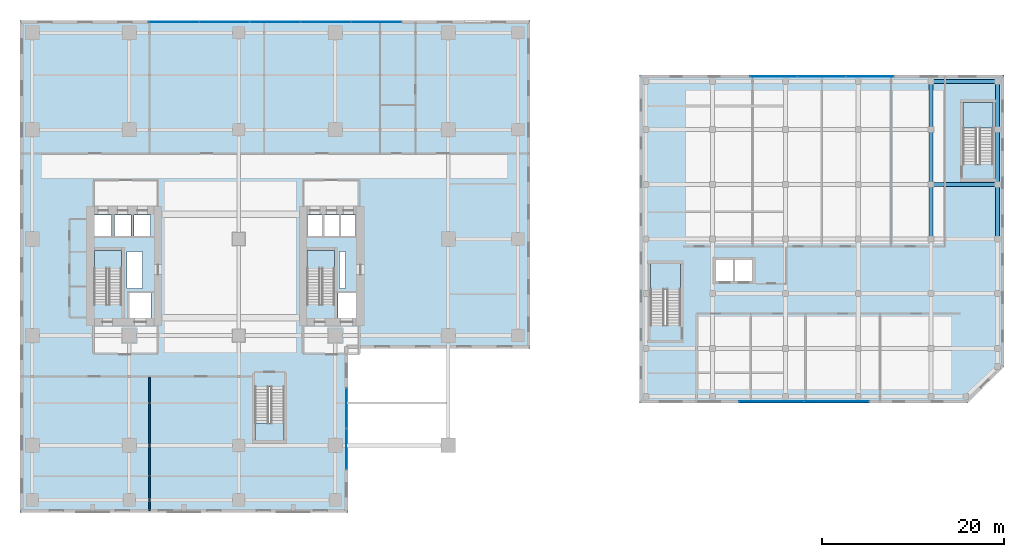
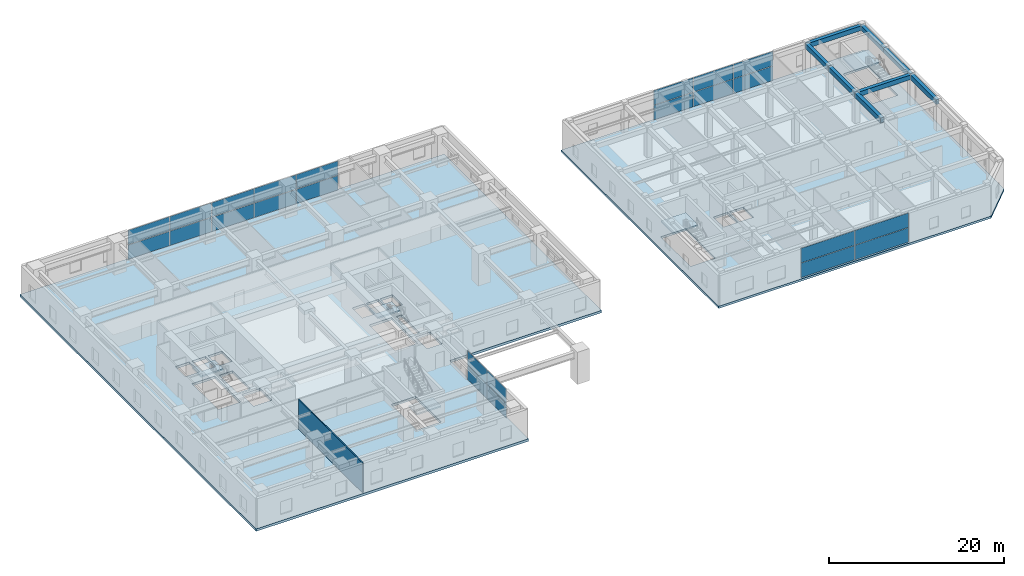
# One storey, part 17 of 28: 24 plates, 8 beams, 7 slabs, 1 wall, 9 elements without a shape of their own.
"""IFC4 building model written with IfcOpenShell, lengths in metres."""

from ifc_helpers import new_model, si_unit, direction, frame, frame_2d, origin, origin_2d, place, context, subcontext, project, spatial, polyline, rectangle, outline, extrude, source, transform, mapped, material, layer, layer_set, material_profile, profile_set, type_object, element, aggregate, save


model = new_model("IFC4")

# Units and contexts
model_context = context("Model", 3, precision=1e-05, world=origin(), true_north=direction((0.0, 1.0)))
body_context = subcontext(model_context, "Body", "Model", "MODEL_VIEW")
ifc_project = project(units=[si_unit("LENGTHUNIT", "METRE"), si_unit("AREAUNIT", "SQUARE_METRE"), si_unit("VOLUMEUNIT", "CUBIC_METRE"), si_unit("PLANEANGLEUNIT", "RADIAN"), si_unit("MASSUNIT", "GRAM", prefix="KILO")], contexts=[model_context])

# Site, building, storey
site_placement = place(None, origin())
site = spatial("IfcSite", under=ifc_project, at=site_placement, CompositionType="ELEMENT")
building_placement = place(site_placement, origin())
building = spatial("IfcBuilding", under=site, at=building_placement, Name="Khoralis Quay Care Tower", CompositionType="ELEMENT")
storey_placement = place(building_placement, frame((0.0, 0.0, 9.0)))
storey = spatial("IfcBuildingStorey", under=building, at=storey_placement, Name="L02", CompositionType="ELEMENT", Elevation=9.0)

# Beams
ifc_material_1 = material(Name="Concrete C40/50", Category="concrete")
ifc_material_profile = material_profile(ifc_material_1, rectangle(XDim=0.449951171875, YDim=0.64990234375, at=origin_2d()), Name="Concrete C40/50")
ifc_profile_set = profile_set([ifc_material_profile], Name="Concrete C40/50")
beam_type = type_object("IfcBeamType", Name="BM-RC450X650", PredefinedType="BEAM", material=ifc_profile_set)
shared_shape_1 = source(origin(), body_context, "Body", "SweptSolid", [
    extrude(rectangle(XDim=0.449951171875, YDim=0.64990234375, at=origin_2d()), origin(), (0.0, 0.0, 1.0), 7.300048828125),
])
for number, where, z_axis, x_axis, name in (
    (1, (100.0, 30.0, 3.875), (1.0, 0.0, 0.0), (0.0, 1.0, 0.0), "BM-SCX-L02-23"),
    (2, (100.0, 41.300048828125, 3.875), (1.0, 0.0, 0.0), (0.0, 1.0, 0.0), "BM-SCX-L02-32"),
):
    element("IfcBeam", number, at=place(storey_placement, frame(where, z_axis=z_axis, x_axis=x_axis)), inside=storey, type_object=beam_type, Name=name, PredefinedType="BEAM", context=body_context, shape_type="MappedRepresentation", body=[
        mapped(shared_shape_1, transform((0.0, 0.0, 0.0), scale=1.0)),
    ])
shared_shape_2 = source(origin(), body_context, "Body", "SweptSolid", [
    extrude(rectangle(XDim=0.449951171875, YDim=0.64990234375, at=origin_2d()), origin(), (0.0, 0.0, 1.0), 5.300048828125),
])
for number, where, z_axis, x_axis, name in (
    (3, (100.0, 36.0, 3.875), (0.0, 1.0, 0.0), (-1.0, 0.0, 0.0), "BM-SCY-L02-62"),
    (4, (107.300048828125, 36.0, 3.875), (0.0, 1.0, 0.0), (-1.0, 0.0, 0.0), "BM-SCY-L02-67"),
):
    element("IfcBeam", number, at=place(storey_placement, frame(where, z_axis=z_axis, x_axis=x_axis)), inside=storey, type_object=beam_type, Name=name, PredefinedType="BEAM", context=body_context, shape_type="MappedRepresentation", body=[
        mapped(shared_shape_2, transform((0.0, 0.0, 0.0), scale=1.0)),
    ])
shared_shape_3 = source(origin(), body_context, "Body", "SweptSolid", [
    extrude(rectangle(XDim=0.449951171875, YDim=0.64990234375, at=origin_2d()), origin(), (0.0, 0.0, 1.0), 6.0),
])
for number, where, z_axis, x_axis, name in (
    (5, (100.0, 24.0, 3.875), (0.0, 1.0, 0.0), (-1.0, 0.0, 0.0), "BM-SCY-L02-60"),
    (6, (100.0, 30.0, 3.875), (0.0, 1.0, 0.0), (-1.0, 0.0, 0.0), "BM-SCY-L02-61"),
    (7, (107.300048828125, 24.0, 3.875), (0.0, 1.0, 0.0), (-1.0, 0.0, 0.0), "BM-SCY-L02-65"),
    (8, (107.300048828125, 30.0, 3.875), (0.0, 1.0, 0.0), (-1.0, 0.0, 0.0), "BM-SCY-L02-66"),
):
    element("IfcBeam", number, at=place(storey_placement, frame(where, z_axis=z_axis, x_axis=x_axis)), inside=storey, type_object=beam_type, Name=name, PredefinedType="BEAM", context=body_context, shape_type="MappedRepresentation", body=[
        mapped(shared_shape_3, transform((0.0, 0.0, 0.0), scale=1.0)),
    ])

# Stair, slab
ifc_material_2 = material(Name="Precast concrete C45/55", Category="concrete")
stair_type_1 = type_object("IfcStairType", Name="ST-TWR-DOGLEG-1400", PredefinedType="HALF_TURN_STAIR", material=ifc_material_2)
stair_1_placement = place(storey_placement, origin())
stair_1 = element("IfcStair", 9, at=stair_1_placement, inside=storey, type_object=stair_type_1, Name="L02 West Core Exit Stair ST-T1", PredefinedType="HALF_TURN_STAIR")
ifc_layer_1 = layer(ifc_material_2, 0.199951171875)
ifc_layer_set_1 = layer_set([ifc_layer_1], Name="Precast concrete C45/55")
slab_type_1 = type_object("IfcSlabType", Name="SLB-LANDING-200", PredefinedType="LANDING", material=ifc_layer_set_1)
slab_1_placement = place(storey_placement, frame((0.0, 0.0, 2.050048828125)))
slab_1 = element("IfcSlab", 10, at=slab_1_placement, type_object=slab_type_1, Name="ST-T1 landing 1", PredefinedType="LANDING", context=body_context, shape_type="SweptSolid", body=[
    extrude(outline(polyline([(11.14990234375, 20.77001953125), (11.14990234375, 22.75), (8.14990234375, 22.75), (8.14990234375, 20.77001953125), (11.14990234375, 20.77001953125)])), origin(), (0.0, 0.0, 1.0), 0.199951171875),
])
aggregate(stair_1, [slab_1])

stair_2_placement = place(storey_placement, origin())
stair_2 = element("IfcStair", 11, at=stair_2_placement, inside=storey, type_object=stair_type_1, Name="L02 East Core Exit Stair ST-T2", PredefinedType="HALF_TURN_STAIR")
slab_2_placement = place(storey_placement, frame((0.0, 0.0, 2.050048828125)))
slab_2 = element("IfcSlab", 12, at=slab_2_placement, type_object=slab_type_1, Name="ST-T2 landing 1", PredefinedType="LANDING", context=body_context, shape_type="SweptSolid", body=[
    extrude(outline(polyline([(34.52001953125, 20.77001953125), (34.52001953125, 22.75), (31.52001953125, 22.75), (31.52001953125, 20.77001953125), (34.52001953125, 20.77001953125)])), origin(), (0.0, 0.0, 1.0), 0.199951171875),
])
aggregate(stair_2, [slab_2])

stair_type_2 = type_object("IfcStairType", Name="ST-POD-DOGLEG-1500", PredefinedType="HALF_TURN_STAIR", material=ifc_material_2)
stair_3_placement = place(storey_placement, origin())
stair_3 = element("IfcStair", 13, at=stair_3_placement, inside=storey, type_object=stair_type_2, Name="L02 Podium Clinical Stair ST-P1", PredefinedType="HALF_TURN_STAIR")
slab_3_placement = place(storey_placement, frame((0.0, 0.0, 2.050048828125)))
slab_3 = element("IfcSlab", 14, at=slab_3_placement, type_object=slab_type_1, Name="ST-P1 landing 1", PredefinedType="LANDING", context=body_context, shape_type="SweptSolid", body=[
    extrude(outline(polyline([(25.800048828125, 3.800048828125), (25.800048828125, 1.89990234375), (29.0, 1.89990234375), (29.0, 3.800048828125), (25.800048828125, 3.800048828125)])), origin(), (0.0, 0.0, 1.0), 0.199951171875),
])
aggregate(stair_3, [slab_3])

stair_type_3 = type_object("IfcStairType", Name="ST-SCH-DOGLEG-1550", PredefinedType="HALF_TURN_STAIR", material=ifc_material_2)
stair_4_placement = place(storey_placement, origin())
stair_4 = element("IfcStair", 15, at=stair_4_placement, inside=storey, type_object=stair_type_3, Name="L02 Companion School West Exit Stair ST-S1", PredefinedType="HALF_TURN_STAIR")
slab_4_placement = place(storey_placement, frame((0.0, 0.0, 2.050048828125)))
slab_4 = element("IfcSlab", 16, at=slab_4_placement, type_object=slab_type_1, Name="ST-S1 landing 1", PredefinedType="LANDING", context=body_context, shape_type="SweptSolid", body=[
    extrude(outline(polyline([(72.5, 18.47998046875), (72.5, 21.300048828125), (69.199951171875, 21.300048828125), (69.199951171875, 18.47998046875), (72.5, 18.47998046875)])), origin(), (0.0, 0.0, 1.0), 0.199951171875),
])
aggregate(stair_4, [slab_4])

stair_5_placement = place(storey_placement, origin())
stair_5 = element("IfcStair", 17, at=stair_5_placement, inside=storey, type_object=stair_type_3, Name="L02 Companion School East Exit Stair ST-S2", PredefinedType="HALF_TURN_STAIR")
slab_5_placement = place(storey_placement, frame((0.0, 0.0, 2.050048828125)))
slab_5 = element("IfcSlab", 18, at=slab_5_placement, type_object=slab_type_1, Name="ST-S2 landing 1", PredefinedType="LANDING", context=body_context, shape_type="SweptSolid", body=[
    extrude(outline(polyline([(106.800048828125, 36.179931640625), (106.800048828125, 39.0), (103.5, 39.0), (103.5, 36.179931640625), (106.800048828125, 36.179931640625)])), origin(), (0.0, 0.0, 1.0), 0.199951171875),
])
aggregate(stair_5, [slab_5])

# Slabs
ifc_layer_2 = layer(ifc_material_1, 0.340087890625)
ifc_layer_set_2 = layer_set([ifc_layer_2], Name="Concrete C40/50")
slab_type_2 = type_object("IfcSlabType", Name="SLB-POD-340", PredefinedType="FLOOR", material=ifc_layer_set_2)
slab_6_placement = place(storey_placement, frame((0.0, 0.0, -0.340087890625)))
element("IfcSlab", 19, at=slab_6_placement, inside=storey, type_object=slab_type_2, Name="Tower Floor Slab L02", PredefinedType="FLOOR", context=body_context, shape_type="SweptSolid", body=[
    extrude(outline(polyline([(0.0, -6.0), (36.0, -6.0), (36.0, 12.0), (56.0, 12.0), (56.0, 48.0), (0.0, 48.0), (0.0, -6.0)]), holes=[polyline([(11.14990234375, 16.800048828125), (11.14990234375, 22.75), (8.14990234375, 22.75), (8.14990234375, 16.800048828125), (11.14990234375, 16.800048828125)]), polyline([(34.52001953125, 16.800048828125), (34.52001953125, 22.75), (31.52001953125, 22.75), (31.52001953125, 16.800048828125), (34.52001953125, 16.800048828125)]), polyline([(25.800048828125, 7.77001953125), (25.800048828125, 1.89990234375), (29.0, 1.89990234375), (29.0, 7.77001953125), (25.800048828125, 7.77001953125)]), polyline([(12.0, 15.35009765625), (14.39990234375, 15.35009765625), (14.39990234375, 18.050048828125), (12.0, 18.050048828125), (12.0, 15.35009765625)]), polyline([(34.919921875, 15.35009765625), (36.8798828125, 15.35009765625), (36.8798828125, 18.050048828125), (34.919921875, 18.050048828125), (34.919921875, 15.35009765625)]), polyline([(8.199951171875, 24.35009765625), (10.050048828125, 24.35009765625), (10.050048828125, 26.64990234375), (8.199951171875, 26.64990234375), (8.199951171875, 24.35009765625)]), polyline([(31.550048828125, 24.35009765625), (33.199951171875, 24.35009765625), (33.199951171875, 26.64990234375), (31.550048828125, 26.64990234375), (31.550048828125, 24.35009765625)]), polyline([(10.35009765625, 24.35009765625), (12.199951171875, 24.35009765625), (12.199951171875, 26.64990234375), (10.35009765625, 26.64990234375), (10.35009765625, 24.35009765625)]), polyline([(33.3798828125, 24.35009765625), (35.030029296875, 24.35009765625), (35.030029296875, 26.64990234375), (33.3798828125, 26.64990234375), (33.3798828125, 24.35009765625)]), polyline([(12.5, 24.35009765625), (14.35009765625, 24.35009765625), (14.35009765625, 26.64990234375), (12.5, 26.64990234375), (12.5, 24.35009765625)]), polyline([(35.199951171875, 24.35009765625), (36.85009765625, 24.35009765625), (36.85009765625, 26.64990234375), (35.199951171875, 26.64990234375), (35.199951171875, 24.35009765625)]), polyline([(11.719970703125, 18.550048828125), (13.449951171875, 18.550048828125), (13.449951171875, 22.64990234375), (11.719970703125, 22.64990234375), (11.719970703125, 18.550048828125)]), polyline([(35.050048828125, 18.550048828125), (35.75, 18.550048828125), (35.75, 22.64990234375), (35.050048828125, 22.64990234375), (35.050048828125, 18.550048828125)])]), origin(), (0.0, 0.0, 1.0), 0.340087890625),
])
ifc_layer_3 = layer(ifc_material_1, 0.300048828125)
ifc_layer_set_3 = layer_set([ifc_layer_3], Name="Concrete C40/50")
slab_type_3 = type_object("IfcSlabType", Name="SLB-SCH-300", PredefinedType="FLOOR", material=ifc_layer_set_3)
slab_7_placement = place(storey_placement, frame((0.0, 0.0, -0.300048828125)))
element("IfcSlab", 20, at=slab_7_placement, inside=storey, type_object=slab_type_3, Name="Companion School Floor Slab L02", PredefinedType="FLOOR", context=body_context, shape_type="SweptSolid", body=[
    extrude(outline(polyline([(68.0, 6.0), (104.0, 6.0), (108.0, 10.0), (108.0, 42.0), (68.0, 42.0), (68.0, 6.0)]), holes=[polyline([(72.5, 14.510009765625), (72.5, 21.300048828125), (69.199951171875, 21.300048828125), (69.199951171875, 14.510009765625), (72.5, 14.510009765625)]), polyline([(106.800048828125, 32.2099609375), (106.800048828125, 39.0), (103.5, 39.0), (103.5, 32.2099609375), (106.800048828125, 32.2099609375)]), polyline([(76.39990234375, 19.39990234375), (78.25, 19.39990234375), (78.25, 21.699951171875), (76.39990234375, 21.699951171875), (76.39990234375, 19.39990234375)]), polyline([(78.5, 19.39990234375), (80.35009765625, 19.39990234375), (80.35009765625, 21.699951171875), (78.5, 21.699951171875), (78.5, 19.39990234375)])]), origin(), (0.0, 0.0, 1.0), 0.300048828125),
])

# Curtain wall, plates
ifc_material_3 = material(Name="Pale anodised aluminium", Category="aluminium")
ifc_layer_4 = layer(ifc_material_3, 0.179931640625)
ifc_layer_set_4 = layer_set([ifc_layer_4], Name="Pale anodised aluminium")
curtain_wall_type_1 = type_object("IfcCurtainWallType", Name="CW-SYS-Z1", PredefinedType="NOTDEFINED", material=ifc_layer_set_4)
curtain_wall_1_placement = place(storey_placement, origin())
curtain_wall_1 = element("IfcCurtainWall", 21, at=curtain_wall_1_placement, inside=storey, type_object=curtain_wall_type_1, Name="L02 Unitised Curtain Wall CW-POD-L02-E1", PredefinedType="NOTDEFINED")
ifc_material_4 = material(Name="Low-E solar-control double glazing", Category="glass")
ifc_layer_5 = layer(ifc_material_4, 0.031982421875)
ifc_layer_set_5 = layer_set([ifc_layer_5], Name="Low-E solar-control double glazing")
plate_type = type_object("IfcPlateType", Name="PNL-VIS-32", PredefinedType="CURTAIN_PANEL", material=ifc_layer_set_5)
shared_shape_4 = source(origin(), body_context, "Body", "SweptSolid", [
    extrude(rectangle(XDim=4.409912109375, YDim=0.028076171875, at=origin_2d()), origin(), (0.0, 0.0, 1.0), 1.989990234375),
])
plate_1_placement = place(storey_placement, frame((35.81005859375, 0.955078125, 0.06005859375), z_axis=(0.0, 0.0, 1.0), x_axis=(0.0, 1.0, 0.0)))
plate_1 = element("IfcPlate", 22, at=plate_1_placement, type_object=plate_type, Name="CW1 panel 1.1", PredefinedType="CURTAIN_PANEL", context=body_context, shape_type="MappedRepresentation", body=[
    mapped(shared_shape_4, transform((0.0, 0.0, 0.0), scale=1.0)),
])
plate_2_placement = place(storey_placement, frame((35.81005859375, 0.955078125, 2.10986328125), z_axis=(0.0, 0.0, 1.0), x_axis=(0.0, 1.0, 0.0)))
plate_2 = element("IfcPlate", 23, at=plate_2_placement, type_object=plate_type, Name="CW1 panel 1.2", PredefinedType="CURTAIN_PANEL", context=body_context, shape_type="MappedRepresentation", body=[
    mapped(shared_shape_4, transform((0.0, 0.0, 0.0), scale=1.0)),
])
plate_3_placement = place(storey_placement, frame((35.81005859375, 5.425048828125, 0.06005859375), z_axis=(0.0, 0.0, 1.0), x_axis=(0.0, 1.0, 0.0)))
plate_3 = element("IfcPlate", 24, at=plate_3_placement, type_object=plate_type, Name="CW1 panel 2.1", PredefinedType="CURTAIN_PANEL", context=body_context, shape_type="MappedRepresentation", body=[
    mapped(shared_shape_4, transform((0.0, 0.0, 0.0), scale=1.0)),
])
plate_4_placement = place(storey_placement, frame((35.81005859375, 5.425048828125, 2.10986328125), z_axis=(0.0, 0.0, 1.0), x_axis=(0.0, 1.0, 0.0)))
plate_4 = element("IfcPlate", 25, at=plate_4_placement, type_object=plate_type, Name="CW1 panel 2.2", PredefinedType="CURTAIN_PANEL", context=body_context, shape_type="MappedRepresentation", body=[
    mapped(shared_shape_4, transform((0.0, 0.0, 0.0), scale=1.0)),
])
aggregate(curtain_wall_1, [plate_1, plate_2, plate_3, plate_4])

curtain_wall_2_placement = place(storey_placement, origin())
curtain_wall_2 = element("IfcCurtainWall", 26, at=curtain_wall_2_placement, inside=storey, type_object=curtain_wall_type_1, Name="L02 Unitised Curtain Wall CW-POD-L02-E4", PredefinedType="NOTDEFINED")
shared_shape_5 = source(origin(), body_context, "Body", "SweptSolid", [
    extrude(rectangle(XDim=5.471923828125, YDim=0.028076171875, at=origin_2d()), origin(), (0.0, 0.0, 1.0), 1.989990234375),
])
plate_5_placement = place(storey_placement, frame((39.10888671875, 47.81005859375, 0.06005859375), z_axis=(0.0, 0.0, 1.0), x_axis=(-1.0, 0.0, 0.0)))
plate_5 = element("IfcPlate", 27, at=plate_5_placement, type_object=plate_type, Name="CW1 panel 1.1", PredefinedType="CURTAIN_PANEL", context=body_context, shape_type="MappedRepresentation", body=[
    mapped(shared_shape_5, transform((0.0, 0.0, 0.0), scale=1.0)),
])
plate_6_placement = place(storey_placement, frame((39.10888671875, 47.81005859375, 2.10986328125), z_axis=(0.0, 0.0, 1.0), x_axis=(-1.0, 0.0, 0.0)))
plate_6 = element("IfcPlate", 28, at=plate_6_placement, type_object=plate_type, Name="CW1 panel 1.2", PredefinedType="CURTAIN_PANEL", context=body_context, shape_type="MappedRepresentation", body=[
    mapped(shared_shape_5, transform((0.0, 0.0, 0.0), scale=1.0)),
])
plate_7_placement = place(storey_placement, frame((16.89111328125, 47.81005859375, 0.06005859375), z_axis=(0.0, 0.0, 1.0), x_axis=(-1.0, 0.0, 0.0)))
plate_7 = element("IfcPlate", 29, at=plate_7_placement, type_object=plate_type, Name="CW1 panel 5.1", PredefinedType="CURTAIN_PANEL", context=body_context, shape_type="MappedRepresentation", body=[
    mapped(shared_shape_5, transform((0.0, 0.0, 0.0), scale=1.0)),
])
plate_8_placement = place(storey_placement, frame((16.89111328125, 47.81005859375, 2.10986328125), z_axis=(0.0, 0.0, 1.0), x_axis=(-1.0, 0.0, 0.0)))
plate_8 = element("IfcPlate", 30, at=plate_8_placement, type_object=plate_type, Name="CW1 panel 5.2", PredefinedType="CURTAIN_PANEL", context=body_context, shape_type="MappedRepresentation", body=[
    mapped(shared_shape_5, transform((0.0, 0.0, 0.0), scale=1.0)),
])
shared_shape_6 = source(origin(), body_context, "Body", "SweptSolid", [
    extrude(rectangle(XDim=5.501953125, YDim=0.028076171875, at=origin_2d()), origin(), (0.0, 0.0, 1.0), 1.989990234375),
])
plate_9_placement = place(storey_placement, frame((33.56201171875, 47.81005859375, 0.06005859375), z_axis=(0.0, 0.0, 1.0), x_axis=(-1.0, 0.0, 0.0)))
plate_9 = element("IfcPlate", 31, at=plate_9_placement, type_object=plate_type, Name="CW1 panel 2.1", PredefinedType="CURTAIN_PANEL", context=body_context, shape_type="MappedRepresentation", body=[
    mapped(shared_shape_6, transform((0.0, 0.0, 0.0), scale=1.0)),
])
plate_10_placement = place(storey_placement, frame((33.56201171875, 47.81005859375, 2.10986328125), z_axis=(0.0, 0.0, 1.0), x_axis=(-1.0, 0.0, 0.0)))
plate_10 = element("IfcPlate", 32, at=plate_10_placement, type_object=plate_type, Name="CW1 panel 2.2", PredefinedType="CURTAIN_PANEL", context=body_context, shape_type="MappedRepresentation", body=[
    mapped(shared_shape_6, transform((0.0, 0.0, 0.0), scale=1.0)),
])
plate_11_placement = place(storey_placement, frame((28.0, 47.81005859375, 0.06005859375), z_axis=(0.0, 0.0, 1.0), x_axis=(-1.0, 0.0, 0.0)))
plate_11 = element("IfcPlate", 33, at=plate_11_placement, type_object=plate_type, Name="CW1 panel 3.1", PredefinedType="CURTAIN_PANEL", context=body_context, shape_type="MappedRepresentation", body=[
    mapped(shared_shape_6, transform((0.0, 0.0, 0.0), scale=1.0)),
])
plate_12_placement = place(storey_placement, frame((28.0, 47.81005859375, 2.10986328125), z_axis=(0.0, 0.0, 1.0), x_axis=(-1.0, 0.0, 0.0)))
plate_12 = element("IfcPlate", 34, at=plate_12_placement, type_object=plate_type, Name="CW1 panel 3.2", PredefinedType="CURTAIN_PANEL", context=body_context, shape_type="MappedRepresentation", body=[
    mapped(shared_shape_6, transform((0.0, 0.0, 0.0), scale=1.0)),
])
plate_13_placement = place(storey_placement, frame((22.43798828125, 47.81005859375, 0.06005859375), z_axis=(0.0, 0.0, 1.0), x_axis=(-1.0, 0.0, 0.0)))
plate_13 = element("IfcPlate", 35, at=plate_13_placement, type_object=plate_type, Name="CW1 panel 4.1", PredefinedType="CURTAIN_PANEL", context=body_context, shape_type="MappedRepresentation", body=[
    mapped(shared_shape_6, transform((0.0, 0.0, 0.0), scale=1.0)),
])
plate_14_placement = place(storey_placement, frame((22.43798828125, 47.81005859375, 2.10986328125), z_axis=(0.0, 0.0, 1.0), x_axis=(-1.0, 0.0, 0.0)))
plate_14 = element("IfcPlate", 36, at=plate_14_placement, type_object=plate_type, Name="CW1 panel 4.2", PredefinedType="CURTAIN_PANEL", context=body_context, shape_type="MappedRepresentation", body=[
    mapped(shared_shape_6, transform((0.0, 0.0, 0.0), scale=1.0)),
])
aggregate(curtain_wall_2, [plate_5, plate_6, plate_9, plate_10, plate_11, plate_12, plate_13, plate_14, plate_7, plate_8])

ifc_layer_6 = layer(ifc_material_3, 0.14990234375)
ifc_layer_set_6 = layer_set([ifc_layer_6], Name="Pale anodised aluminium")
curtain_wall_type_2 = type_object("IfcCurtainWallType", Name="CW-SYS-SCHOOL", PredefinedType="NOTDEFINED", material=ifc_layer_set_6)
curtain_wall_3_placement = place(storey_placement, origin())
curtain_wall_3 = element("IfcCurtainWall", 37, at=curtain_wall_3_placement, inside=storey, type_object=curtain_wall_type_2, Name="L02 Unitised Curtain Wall CW-SCH-L02-E0", PredefinedType="NOTDEFINED")
shared_shape_7 = source(origin(), body_context, "Body", "SweptSolid", [
    extrude(rectangle(XDim=7.06201171875, YDim=0.028076171875, at=origin_2d()), origin(), (0.0, 0.0, 1.0), 2.010009765625),
])
plate_15_placement = place(storey_placement, frame((82.489013671875, 6.169921875, 0.06005859375), z_axis=(0.0, 0.0, 1.0), x_axis=(1.0, 0.0, 0.0)))
plate_15 = element("IfcPlate", 38, at=plate_15_placement, type_object=plate_type, Name="CW6 panel 1.1", PredefinedType="CURTAIN_PANEL", context=body_context, shape_type="MappedRepresentation", body=[
    mapped(shared_shape_7, transform((0.0, 0.0, 0.0), scale=1.0)),
])
plate_16_placement = place(storey_placement, frame((82.489013671875, 6.169921875, 2.1298828125), z_axis=(0.0, 0.0, 1.0), x_axis=(1.0, 0.0, 0.0)))
plate_16 = element("IfcPlate", 39, at=plate_16_placement, type_object=plate_type, Name="CW6 panel 1.2", PredefinedType="CURTAIN_PANEL", context=body_context, shape_type="MappedRepresentation", body=[
    mapped(shared_shape_7, transform((0.0, 0.0, 0.0), scale=1.0)),
])
plate_17_placement = place(storey_placement, frame((89.611083984375, 6.169921875, 0.06005859375), z_axis=(0.0, 0.0, 1.0), x_axis=(1.0, 0.0, 0.0)))
plate_17 = element("IfcPlate", 40, at=plate_17_placement, type_object=plate_type, Name="CW6 panel 2.1", PredefinedType="CURTAIN_PANEL", context=body_context, shape_type="MappedRepresentation", body=[
    mapped(shared_shape_7, transform((0.0, 0.0, 0.0), scale=1.0)),
])
plate_18_placement = place(storey_placement, frame((89.611083984375, 6.169921875, 2.1298828125), z_axis=(0.0, 0.0, 1.0), x_axis=(1.0, 0.0, 0.0)))
plate_18 = element("IfcPlate", 41, at=plate_18_placement, type_object=plate_type, Name="CW6 panel 2.2", PredefinedType="CURTAIN_PANEL", context=body_context, shape_type="MappedRepresentation", body=[
    mapped(shared_shape_7, transform((0.0, 0.0, 0.0), scale=1.0)),
])
aggregate(curtain_wall_3, [plate_15, plate_16, plate_17, plate_18])

curtain_wall_4_placement = place(storey_placement, origin())
curtain_wall_4 = element("IfcCurtainWall", 42, at=curtain_wall_4_placement, inside=storey, type_object=curtain_wall_type_2, Name="L02 Unitised Curtain Wall CW-SCH-L02-E3", PredefinedType="NOTDEFINED")
shared_shape_8 = source(origin(), body_context, "Body", "SweptSolid", [
    extrude(rectangle(XDim=5.197998046875, YDim=0.028076171875, at=origin_2d()), origin(), (0.0, 0.0, 1.0), 2.010009765625),
])
plate_19_placement = place(storey_placement, frame((93.27294921875, 41.830078125, 0.06005859375), z_axis=(0.0, 0.0, 1.0), x_axis=(-1.0, 0.0, 0.0)))
plate_19 = element("IfcPlate", 43, at=plate_19_placement, type_object=plate_type, Name="CW6 panel 1.1", PredefinedType="CURTAIN_PANEL", context=body_context, shape_type="MappedRepresentation", body=[
    mapped(shared_shape_8, transform((0.0, 0.0, 0.0), scale=1.0)),
])
plate_20_placement = place(storey_placement, frame((93.27294921875, 41.830078125, 2.1298828125), z_axis=(0.0, 0.0, 1.0), x_axis=(-1.0, 0.0, 0.0)))
plate_20 = element("IfcPlate", 44, at=plate_20_placement, type_object=plate_type, Name="CW6 panel 1.2", PredefinedType="CURTAIN_PANEL", context=body_context, shape_type="MappedRepresentation", body=[
    mapped(shared_shape_8, transform((0.0, 0.0, 0.0), scale=1.0)),
])
plate_21_placement = place(storey_placement, frame((82.72705078125, 41.830078125, 0.06005859375), z_axis=(0.0, 0.0, 1.0), x_axis=(-1.0, 0.0, 0.0)))
plate_21 = element("IfcPlate", 45, at=plate_21_placement, type_object=plate_type, Name="CW6 panel 3.1", PredefinedType="CURTAIN_PANEL", context=body_context, shape_type="MappedRepresentation", body=[
    mapped(shared_shape_8, transform((0.0, 0.0, 0.0), scale=1.0)),
])
plate_22_placement = place(storey_placement, frame((82.72705078125, 41.830078125, 2.1298828125), z_axis=(0.0, 0.0, 1.0), x_axis=(-1.0, 0.0, 0.0)))
plate_22 = element("IfcPlate", 46, at=plate_22_placement, type_object=plate_type, Name="CW6 panel 3.2", PredefinedType="CURTAIN_PANEL", context=body_context, shape_type="MappedRepresentation", body=[
    mapped(shared_shape_8, transform((0.0, 0.0, 0.0), scale=1.0)),
])
shared_shape_9 = source(origin(), body_context, "Body", "SweptSolid", [
    extrude(rectangle(XDim=5.22802734375, YDim=0.028076171875, at=origin_2d()), origin(), (0.0, 0.0, 1.0), 2.010009765625),
])
plate_23_placement = place(storey_placement, frame((88.0, 41.830078125, 0.06005859375), z_axis=(0.0, 0.0, 1.0), x_axis=(-1.0, 0.0, 0.0)))
plate_23 = element("IfcPlate", 47, at=plate_23_placement, type_object=plate_type, Name="CW6 panel 2.1", PredefinedType="CURTAIN_PANEL", context=body_context, shape_type="MappedRepresentation", body=[
    mapped(shared_shape_9, transform((0.0, 0.0, 0.0), scale=1.0)),
])
plate_24_placement = place(storey_placement, frame((88.0, 41.830078125, 2.1298828125), z_axis=(0.0, 0.0, 1.0), x_axis=(-1.0, 0.0, 0.0)))
plate_24 = element("IfcPlate", 48, at=plate_24_placement, type_object=plate_type, Name="CW6 panel 2.2", PredefinedType="CURTAIN_PANEL", context=body_context, shape_type="MappedRepresentation", body=[
    mapped(shared_shape_9, transform((0.0, 0.0, 0.0), scale=1.0)),
])
aggregate(curtain_wall_4, [plate_19, plate_20, plate_23, plate_24, plate_21, plate_22])

# Wall
ifc_material_5 = material(Name="Gypsum plasterboard on acoustic metal stud")
ifc_layer_7 = layer(ifc_material_5, 0.139892578125)
ifc_layer_set_7 = layer_set([ifc_layer_7], Name="Gypsum plasterboard on acoustic metal stud")
wall_type = type_object("IfcWallType", Name="WL-UNIT-140", PredefinedType="PARTITIONING", material=ifc_layer_set_7)
wall_placement = place(storey_placement, frame((14.199951171875, -5.81494140625, 0.0), z_axis=(0.0, 0.0, 1.0), x_axis=(0.0, 1.0, 0.0)))
element("IfcWall", 49, at=wall_placement, inside=storey, type_object=wall_type, Name="L02 Podium South Split", PredefinedType="PARTITIONING", context=body_context, shape_type="SweptSolid", body=[
    extrude(rectangle(XDim=14.637451171875, YDim=0.139892578125, at=frame_2d((7.31884765625, 0.0))), origin(), (0.0, 0.0, 1.0), 4.159912109375),
])

save(model, "model.ifc")
